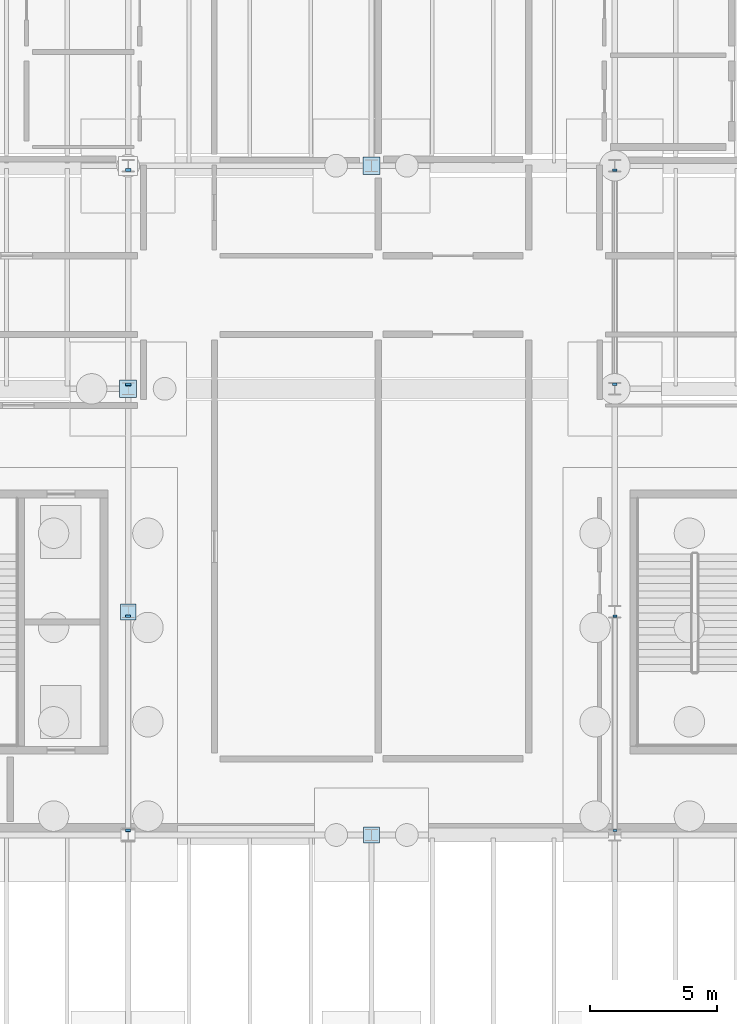
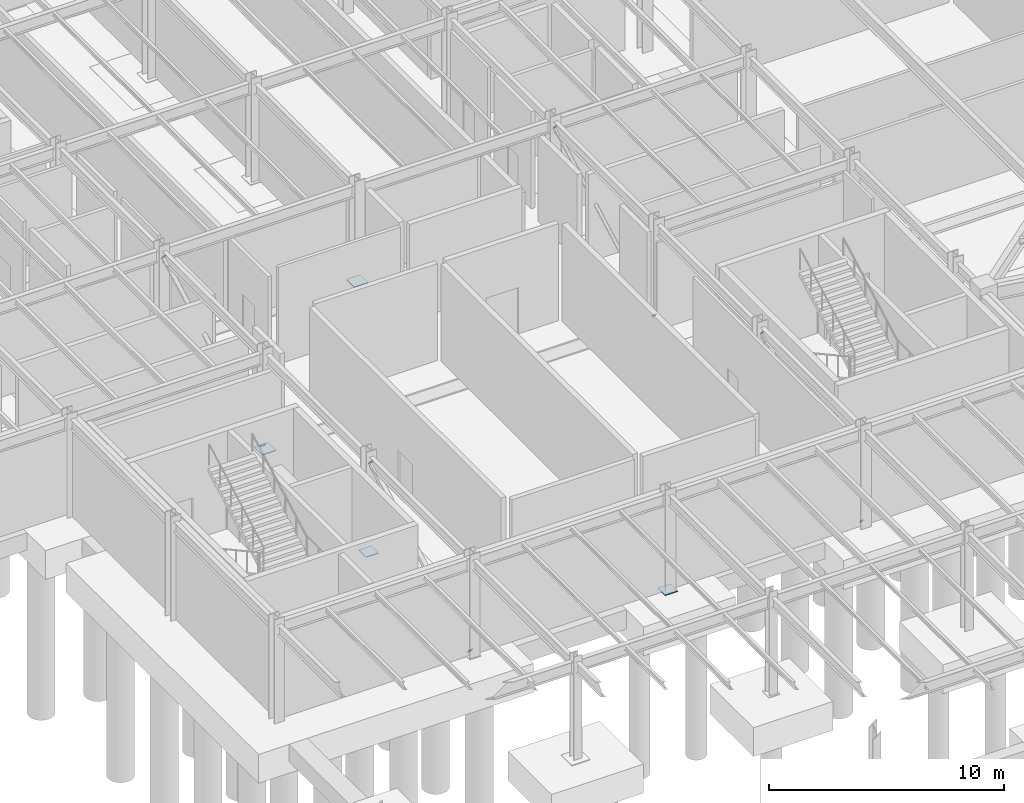
# One storey, part 27 of 48: 12 plates.
"""IFC4 building model written with IfcOpenShell, lengths in metres."""

from ifc_helpers import new_model, si_unit, direction, frame, origin, origin_2d, place, context, subcontext, project, spatial, rectangle, extrude, material, layer, layer_set, type_object, element, save


model = new_model("IFC4")

# Units and contexts
model_context = context("Model", 3, precision=1e-05, world=origin(), true_north=direction((0.0, 1.0)))
body_context = subcontext(model_context, "Body", "Model", "MODEL_VIEW")
ifc_project = project(units=[si_unit("LENGTHUNIT", "METRE"), si_unit("AREAUNIT", "SQUARE_METRE"), si_unit("VOLUMEUNIT", "CUBIC_METRE"), si_unit("PLANEANGLEUNIT", "RADIAN"), si_unit("MASSUNIT", "GRAM", prefix="KILO")], contexts=[model_context])

# Site, building, storey
site_placement = place(None, origin())
site = spatial("IfcSite", under=ifc_project, at=site_placement, CompositionType="ELEMENT")
building_placement = place(site_placement, origin())
building = spatial("IfcBuilding", under=site, at=building_placement, Name="Sarnbrook Museum", CompositionType="ELEMENT")
storey_placement = place(building_placement, frame((0.0, 0.0, -5.39990234375)))
storey = spatial("IfcBuildingStorey", under=building, at=storey_placement, Name="B1", CompositionType="ELEMENT", Elevation=-5.39990234375)

# Plates
ifc_material = material(Name="Structural Steel Grade 350L0 (AS/NZS 3678, fy = 340 MPa for 20 < t <= 40 mm)", Category="steel")
ifc_layer_1 = layer(ifc_material, 0.01611328125)
ifc_layer_set_1 = layer_set([ifc_layer_1], Name="Structural Steel Grade 350L0 (AS/NZS 3678, fy = 340 MPa for 20 < t <= 40 mm)")
plate_type_1 = type_object("IfcPlateType", Name="EndCapPlate_CAP150", PredefinedType="USERDEFINED", material=ifc_layer_set_1)
for number, where, z_axis, x_axis, name in (
    (1, (109.60009765625, 56.9658203125, 0.112060546875), (0.0, 0.876741761367, 0.480961416201), (-1.0, 0.0, 0.0), "Hollow End Cap Plate CBF:2:B1-1"),
    (2, (109.60009765625, 65.419921875, 4.749755859375), (0.0, 0.876741761367, 0.480961416201), (-1.0, 0.0, 0.0), "Hollow End Cap Plate CBF:2:B1-2"),
):
    element("IfcPlate", number, at=place(storey_placement, frame(where, z_axis=z_axis, x_axis=x_axis)), inside=storey, type_object=plate_type_1, Name=name, ObjectType="END CAP PLATE", PredefinedType="USERDEFINED", context=body_context, shape_type="SweptSolid", body=[
        extrude(rectangle(XDim=0.14990234375, YDim=0.14990234375, at=origin_2d()), origin(), (0.0, 0.0, 1.0), 0.01611328125),
    ])
ifc_layer_2 = layer(ifc_material, 0.01611328125)
ifc_layer_set_2 = layer_set([ifc_layer_2], Name="Structural Steel Grade 350L0 (AS/NZS 3678, fy = 340 MPa for 20 < t <= 40 mm)")
plate_type_2 = type_object("IfcPlateType", Name="EndCapPlate_CAP168", PredefinedType="USERDEFINED", material=ifc_layer_set_2)
for number, where, z_axis, x_axis, name in (
    (3, (109.60009765625, 74.56591796875, 0.112060546875), (0.0, 0.876741761367, 0.480961416201), (-1.0, 0.0, 0.0), "Hollow End Cap Plate CBF:4:B1-1"),
    (4, (109.60009765625, 83.02001953125, 4.749755859375), (0.0, 0.876741761367, 0.480961416201), (-1.0, 0.0, 0.0), "Hollow End Cap Plate CBF:4:B1-2"),
):
    element("IfcPlate", number, at=place(storey_placement, frame(where, z_axis=z_axis, x_axis=x_axis)), inside=storey, type_object=plate_type_2, Name=name, ObjectType="END CAP PLATE", PredefinedType="USERDEFINED", context=body_context, shape_type="SweptSolid", body=[
        extrude(rectangle(XDim=0.175048828125, YDim=0.175048828125, at=origin_2d()), origin(), (0.0, 0.0, 1.0), 0.01611328125),
    ])
ifc_layer_3 = layer(ifc_material, 0.01611328125)
ifc_layer_set_3 = layer_set([ifc_layer_3], Name="Structural Steel Grade 350L0 (AS/NZS 3678, fy = 340 MPa for 20 < t <= 40 mm)")
plate_type_3 = type_object("IfcPlateType", Name="EndCapPlate_CAP200", PredefinedType="USERDEFINED", material=ifc_layer_set_3)
for number, where, z_axis, x_axis, name in (
    (5, (90.39990234375, 56.9658203125, 0.112060546875), (0.0, 0.876741761367, 0.480961416201), (-1.0, 0.0, 0.0), "Hollow End Cap Plate CBF:1:B1-1"),
    (6, (90.39990234375, 65.419921875, 4.749755859375), (0.0, 0.876741761367, 0.480961416201), (-1.0, 0.0, 0.0), "Hollow End Cap Plate CBF:1:B1-2"),
):
    element("IfcPlate", number, at=place(storey_placement, frame(where, z_axis=z_axis, x_axis=x_axis)), inside=storey, type_object=plate_type_3, Name=name, ObjectType="END CAP PLATE", PredefinedType="USERDEFINED", context=body_context, shape_type="SweptSolid", body=[
        extrude(rectangle(XDim=0.199951171875, YDim=0.199951171875, at=origin_2d()), origin(), (0.0, 0.0, 1.0), 0.01611328125),
    ])
ifc_layer_4 = layer(ifc_material, 0.01611328125)
ifc_layer_set_4 = layer_set([ifc_layer_4], Name="Structural Steel Grade 350L0 (AS/NZS 3678, fy = 340 MPa for 20 < t <= 40 mm)")
plate_type_4 = type_object("IfcPlateType", Name="EndCapPlate_CAP219", PredefinedType="USERDEFINED", material=ifc_layer_set_4)
for number, where, z_axis, x_axis, name in (
    (7, (90.39990234375, 74.56591796875, 0.112060546875), (0.0, 0.876741761367, 0.480961416201), (-1.0, 0.0, 0.0), "Hollow End Cap Plate CBF:3:B1-1"),
    (8, (90.39990234375, 83.02001953125, 4.749755859375), (0.0, 0.876741761367, 0.480961416201), (-1.0, 0.0, 0.0), "Hollow End Cap Plate CBF:3:B1-2"),
):
    element("IfcPlate", number, at=place(storey_placement, frame(where, z_axis=z_axis, x_axis=x_axis)), inside=storey, type_object=plate_type_4, Name=name, ObjectType="END CAP PLATE", PredefinedType="USERDEFINED", context=body_context, shape_type="SweptSolid", body=[
        extrude(rectangle(XDim=0.22509765625, YDim=0.22509765625, at=origin_2d()), origin(), (0.0, 0.0, 1.0), 0.01611328125),
    ])
ifc_layer_5 = layer(ifc_material, 0.033935546875)
ifc_layer_set_5 = layer_set([ifc_layer_5], Name="Structural Steel Grade 350L0 (AS/NZS 3678, fy = 340 MPa for 20 < t <= 40 mm)")
plate_type_5 = type_object("IfcPlateType", Name="SheetPlate_BP2", PredefinedType="SHEET", material=ifc_layer_set_5)
for number, where, z_axis, x_axis, name in (
    (9, (90.39990234375, 65.60009765625, 0.0), (0.0, 0.0, 1.0), (1.0, 0.0, 0.0), "Column Base Plate 10-H"),
    (10, (100.0, 56.800048828125, 0.0), (0.0, 0.0, 1.0), (1.0, 0.0, 0.0), "Column Base Plate 11-G"),
):
    element("IfcPlate", number, at=place(storey_placement, frame(where, z_axis=z_axis, x_axis=x_axis)), inside=storey, type_object=plate_type_5, Name=name, PredefinedType="SHEET", context=body_context, shape_type="SweptSolid", body=[
        extrude(rectangle(XDim=0.6201171875, YDim=0.6201171875, at=origin_2d()), origin(), (0.0, 0.0, 1.0), 0.033935546875),
    ])
ifc_layer_6 = layer(ifc_material, 0.035888671875)
ifc_layer_set_6 = layer_set([ifc_layer_6], Name="Structural Steel Grade 350L0 (AS/NZS 3678, fy = 340 MPa for 20 < t <= 40 mm)")
plate_type_6 = type_object("IfcPlateType", Name="SheetPlate_BP3", PredefinedType="SHEET", material=ifc_layer_set_6)
for number, where, z_axis, x_axis, name in (
    (11, (90.39990234375, 74.39990234375, 0.0), (0.0, 0.0, 1.0), (1.0, 0.0, 0.0), "Column Base Plate 10-J"),
    (12, (100.0, 83.199951171875, 0.0), (0.0, 0.0, 1.0), (1.0, 0.0, 0.0), "Column Base Plate 11-K"),
):
    element("IfcPlate", number, at=place(storey_placement, frame(where, z_axis=z_axis, x_axis=x_axis)), inside=storey, type_object=plate_type_6, Name=name, PredefinedType="SHEET", context=body_context, shape_type="SweptSolid", body=[
        extrude(rectangle(XDim=0.679931640625, YDim=0.679931640625, at=origin_2d()), origin(), (0.0, 0.0, 1.0), 0.035888671875),
    ])

save(model, "model.ifc")
